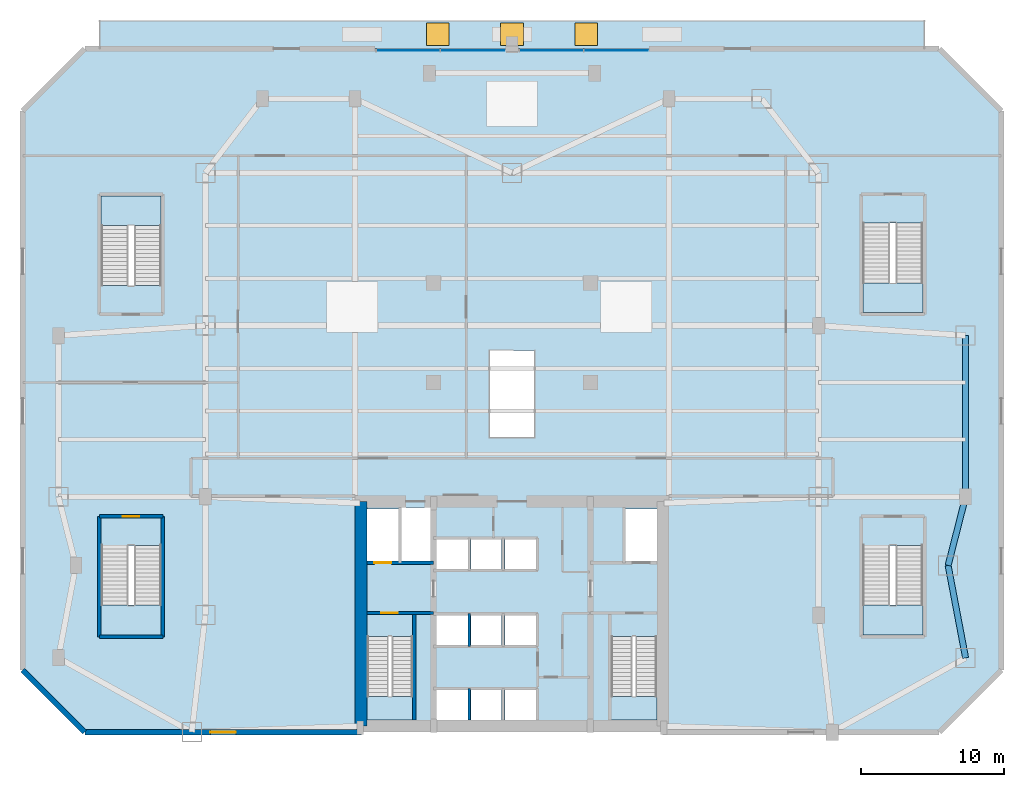
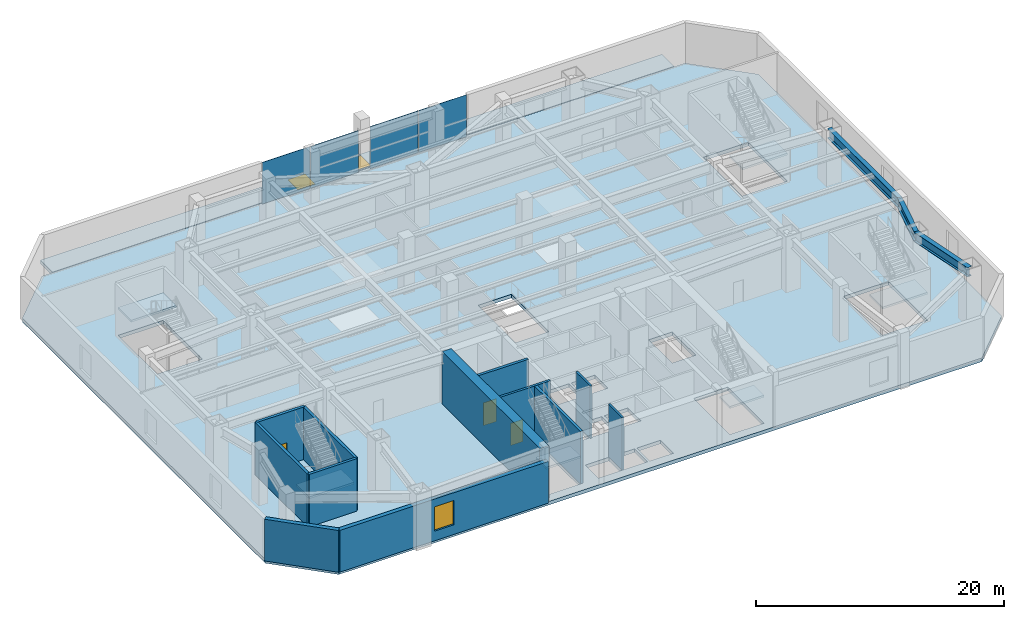
# One storey, part 3 of 10: 12 walls, 8 slabs, 4 plates, 4 windows, 3 beams, 3 doors, 7 openings, 8 elements without a shape of their own.
"""IFC4 building model written with IfcOpenShell, lengths in metres."""

import ifcopenshell
import ifcopenshell.guid

model = None  # the IFC model being written
_history = None  # IfcOwnerHistory: only IFC2X3 demands one
_inside = {}  # id of a spatial element -> (the spatial element, [elements in it])
_under = {}  # id of a project, library or spatial element -> (it, [spatial elements below it])
_declared = {}  # id of a project -> (the project, [libraries it declares])
_typed = {}  # id of a type object -> (the type object, [elements of that type])
_made_of = {}  # id of a material, layer set ... -> (it, [elements and type objects made of it])


def new_model(schema):
    """Start an empty IFC model of exactly this schema.

    Asked for "IFC4X3", IfcOpenShell would pick the latest addendum, in which some entities
    have other attributes; the version numbers below select the first issue.
    IFC2X3 requires an IfcOwnerHistory on every rooted entity: one is made here for all.
    """
    global model, _history
    if schema == "IFC4X3":
        model = ifcopenshell.file(schema_version=(4, 3, 0, 0))
    else:
        model = ifcopenshell.file(schema=schema)
    _inside.clear()
    _under.clear()
    _declared.clear()
    _typed.clear()
    _made_of.clear()
    _history = None
    if model.schema == "IFC2X3":
        org = make("IfcOrganization", Name="unknown")
        user = make(
            "IfcPersonAndOrganization",
            ThePerson=make("IfcPerson", FamilyName="unknown"),
            TheOrganization=org,
        )
        app = make(
            "IfcApplication",
            ApplicationDeveloper=org,
            Version="unknown",
            ApplicationFullName="unknown",
            ApplicationIdentifier="unknown",
        )
        _history = make(
            "IfcOwnerHistory",
            OwningUser=user,
            OwningApplication=app,
            ChangeAction="ADDED",
            CreationDate=0,
        )
    return model


def make(cls, **values):
    """One entity of the class cls with the attributes given. An attribute that is None is left unset."""
    return model.create_entity(
        cls, **{name: value for name, value in values.items() if value is not None}
    )


def rooted(cls, **values):
    """An entity with a GlobalId (a new one), such as an element, a storey or a relation."""
    return make(cls, GlobalId=ifcopenshell.guid.new(), OwnerHistory=_history, **values)


def si_unit(unit_type, name, prefix=None):
    """IfcSIUnit, for example si_unit("LENGTHUNIT", "METRE", prefix="MILLI")."""
    return make("IfcSIUnit", UnitType=unit_type, Prefix=prefix, Name=name)


def assignment(units):
    """IfcUnitAssignment: the units of a project."""
    return None if units is None else make("IfcUnitAssignment", Units=units)


def point(xyz):
    """IfcCartesianPoint."""
    return None if xyz is None else make("IfcCartesianPoint", Coordinates=xyz)


def direction(xyz):
    """IfcDirection."""
    return None if xyz is None else make("IfcDirection", DirectionRatios=xyz)


def frame(location, z_axis=None, x_axis=None):
    """IfcAxis2Placement3D, a coordinate frame: its origin and axes. An axis left out is left unset."""
    return make(
        "IfcAxis2Placement3D",
        Location=point(location),
        Axis=direction(z_axis),
        RefDirection=direction(x_axis),
    )


def frame_2d(location, x_axis=None):
    """IfcAxis2Placement2D, a coordinate frame in the plane: its origin and x axis."""
    return make(
        "IfcAxis2Placement2D", Location=point(location), RefDirection=direction(x_axis)
    )


def origin():
    """The frame at (0, 0, 0) with its axes left unset."""
    return frame((0.0, 0.0, 0.0))


def origin_2d():
    """The frame at (0, 0) in the plane with its x axis left unset."""
    return frame_2d((0.0, 0.0))


def place(relative_to, where):
    """IfcLocalPlacement: puts the frame where relative to a parent placement (None: the world)."""
    return make(
        "IfcLocalPlacement", PlacementRelTo=relative_to, RelativePlacement=where
    )


def context(
    kind, dimensions, precision=None, world=None, true_north=None, identifier=None
):
    """IfcGeometricRepresentationContext, for example the 3D "Model" context."""
    return make(
        "IfcGeometricRepresentationContext",
        ContextIdentifier=identifier,
        ContextType=kind,
        CoordinateSpaceDimension=dimensions,
        Precision=precision,
        WorldCoordinateSystem=world,
        TrueNorth=true_north,
    )


def subcontext(parent, identifier, kind, view, scale=None):
    """IfcGeometricRepresentationSubContext, for example "Body" below "Model"."""
    return make(
        "IfcGeometricRepresentationSubContext",
        ContextIdentifier=identifier,
        ContextType=kind,
        ParentContext=parent,
        TargetScale=scale,
        TargetView=view,
    )


def project(units=None, contexts=None):
    """IfcProject with its units and contexts."""
    return rooted(
        "IfcProject",
        Name="project",
        RepresentationContexts=contexts,
        UnitsInContext=assignment(units),
    )


def spatial(cls, under=None, at=None, **own):
    """A site, building, storey or space (cls), placed at a placement, below another one or the project."""
    s = rooted(cls, ObjectPlacement=at, **own)
    if under is not None:
        _under.setdefault(under.id(), (under, []))[1].append(s)
    return s


def polyline(points):
    """IfcPolyline through the points."""
    return make("IfcPolyline", Points=[point(p) for p in points])


def profile(cls, at=None, kind="AREA", **sizes):
    """A parametric profile (cls). Its sizes go by their IFC names, for example OverallWidth=200.0."""
    return make(cls, ProfileType=kind, Position=at, **sizes)


def rectangle(**sizes):
    """IfcRectangleProfileDef."""
    return profile("IfcRectangleProfileDef", **sizes)


def i_section(**sizes):
    """IfcIShapeProfileDef."""
    return profile("IfcIShapeProfileDef", **sizes)


def outline(outer, holes=None, kind="AREA"):
    """IfcArbitraryClosedProfileDef: a profile drawn as a closed curve; with holes, ...WithVoids."""
    if holes is None:
        return make("IfcArbitraryClosedProfileDef", ProfileType=kind, OuterCurve=outer)
    return make(
        "IfcArbitraryProfileDefWithVoids",
        ProfileType=kind,
        OuterCurve=outer,
        InnerCurves=holes,
    )


def extrude(swept, where, along, depth):
    """IfcExtrudedAreaSolid: the profile swept, set in the frame where, extruded along a direction by depth."""
    return make(
        "IfcExtrudedAreaSolid",
        SweptArea=swept,
        Position=where,
        ExtrudedDirection=direction(along),
        Depth=depth,
    )


def shape(context_of_items, identifier, shape_type, items):
    """IfcShapeRepresentation: the items that make up one representation, for example the "Body"."""
    return make(
        "IfcShapeRepresentation",
        ContextOfItems=context_of_items,
        RepresentationIdentifier=identifier,
        RepresentationType=shape_type,
        Items=items,
    )


def source(mapping_origin, context_of_items, identifier, shape_type, items):
    """IfcRepresentationMap: a shape defined once, which mapped items show again and again."""
    return make(
        "IfcRepresentationMap",
        MappingOrigin=mapping_origin,
        MappedRepresentation=shape(context_of_items, identifier, shape_type, items),
    )


def transform(
    local_origin,
    x_axis=None,
    y_axis=None,
    z_axis=None,
    scale=None,
    scale2=None,
    scale3=None,
    uniform=True,
):
    """IfcCartesianTransformationOperator3D, or its non-uniform kind. x_axis, y_axis, z_axis: its Axis1, 2, 3."""
    if uniform:
        return make(
            "IfcCartesianTransformationOperator3D",
            Axis1=direction(x_axis),
            Axis2=direction(y_axis),
            LocalOrigin=point(local_origin),
            Scale=scale,
            Axis3=direction(z_axis),
        )
    return make(
        "IfcCartesianTransformationOperator3DnonUniform",
        Axis1=direction(x_axis),
        Axis2=direction(y_axis),
        LocalOrigin=point(local_origin),
        Scale=scale,
        Axis3=direction(z_axis),
        Scale2=scale2,
        Scale3=scale3,
    )


def mapped(mapping_source, mapping_target):
    """IfcMappedItem: shows the shape of a source again, moved by a transform."""
    return make(
        "IfcMappedItem", MappingSource=mapping_source, MappingTarget=mapping_target
    )


def material(Name=None, Category=None):
    """IfcMaterial."""
    return make("IfcMaterial", Name=Name, Category=Category)


def layer(
    of_material, thickness, ventilated=None, Name=None, Category=None, Priority=None
):
    """IfcMaterialLayer: one layer of a wall or slab, of a material (None: an air gap)."""
    return make(
        "IfcMaterialLayer",
        Material=of_material,
        LayerThickness=thickness,
        IsVentilated=ventilated,
        Name=Name,
        Category=Category,
        Priority=Priority,
    )


def layer_set(layers, Name=None):
    """IfcMaterialLayerSet."""
    return make("IfcMaterialLayerSet", MaterialLayers=layers, LayerSetName=Name)


def material_profile(
    of_material, cross_section, Name=None, Category=None, Priority=None
):
    """IfcMaterialProfile: a cross section and its material."""
    return make(
        "IfcMaterialProfile",
        Name=Name,
        Material=of_material,
        Profile=cross_section,
        Priority=Priority,
        Category=Category,
    )


def profile_set(profiles, Name=None, composite=None):
    """IfcMaterialProfileSet."""
    return make(
        "IfcMaterialProfileSet",
        Name=Name,
        MaterialProfiles=profiles,
        CompositeProfile=composite,
    )


def made_of(thing, what):
    """Note that an element or type object is made of a material, layer set ...; save() writes the relation."""
    if what is not None:
        _made_of.setdefault(what.id(), (what, []))[1].append(thing)
    return thing


def type_object(cls, material=None, **own):
    """A type object (cls), such as IfcWallType, which elements share."""
    return made_of(rooted(cls, **own), material)


def type_shapes(of_type, sources):
    """Give a type object the sources (RepresentationMaps) that its elements show as mapped items."""
    of_type.RepresentationMaps = sources


def element(
    cls,
    number,
    at=None,
    inside=None,
    cuts=None,
    type_object=None,
    material=None,
    context=None,
    identifier="Body",
    shape_type=None,
    held_by="IfcProductDefinitionShape",
    body=None,
    shapes=None,
    **own,
):
    """One element of the class cls, such as IfcWall. Its Tag is "e" and its number.

    at: its placement. inside: the storey or other place that contains it. cuts: it is an
    opening in that element (IfcRelVoidsElement). A single representation is given by context,
    identifier, shape_type and body (its items); several are given by shapes. held_by: the class
    of the entity that holds the representations. save() writes the other relations.
    """
    e = rooted(cls, Tag="e%d" % number, ObjectPlacement=at, **own)
    if body is not None:
        shapes = [shape(context, identifier, shape_type, body)]
    if shapes is not None:
        e.Representation = make(held_by, Representations=shapes)
    if inside is not None:
        _inside.setdefault(inside.id(), (inside, []))[1].append(e)
    if cuts is not None:
        rooted(
            "IfcRelVoidsElement", RelatingBuildingElement=cuts, RelatedOpeningElement=e
        )
    if type_object is not None:
        _typed.setdefault(type_object.id(), (type_object, []))[1].append(e)
    return made_of(e, material)


def fill(opening, filler):
    """IfcRelFillsElement: the door or window that sits in an opening."""
    return rooted(
        "IfcRelFillsElement",
        RelatingOpeningElement=opening,
        RelatedBuildingElement=filler,
    )


def aggregate(whole, parts):
    """IfcRelAggregates: a whole, such as a stair, and the parts it consists of."""
    return rooted("IfcRelAggregates", RelatingObject=whole, RelatedObjects=parts)


def save(model, path):
    """Write the relations noted so far, then the file.

    IfcRelAggregates (storeys below a building ...), IfcRelContainedInSpatialStructure (elements
    in a storey), IfcRelDefinesByType, IfcRelAssociatesMaterial and IfcRelDeclares: one each for
    every whole, place, type object, material and project.
    """
    for whole, parts in _under.values():
        aggregate(whole, parts)
    for where, things in _inside.values():
        rooted(
            "IfcRelContainedInSpatialStructure",
            RelatedElements=things,
            RelatingStructure=where,
        )
    for kind, things in _typed.values():
        rooted("IfcRelDefinesByType", RelatedObjects=things, RelatingType=kind)
    for what, things in _made_of.values():
        rooted("IfcRelAssociatesMaterial", RelatedObjects=things, RelatingMaterial=what)
    for by, libraries in _declared.values():
        rooted("IfcRelDeclares", RelatingContext=by, RelatedDefinitions=libraries)
    model.write(path)


model = new_model("IFC4")

# Units and contexts
model_context = context("Model", 3, precision=1e-05, world=origin(), true_north=direction((0.0, 1.0)))
body_context = subcontext(model_context, "Body", "Model", "MODEL_VIEW")
ifc_project = project(units=[si_unit("LENGTHUNIT", "METRE"), si_unit("AREAUNIT", "SQUARE_METRE"), si_unit("VOLUMEUNIT", "CUBIC_METRE"), si_unit("PLANEANGLEUNIT", "RADIAN"), si_unit("MASSUNIT", "GRAM", prefix="KILO")], contexts=[model_context])

# Site, building, storey
site_placement = place(None, origin())
site = spatial("IfcSite", under=ifc_project, at=site_placement, CompositionType="ELEMENT")
building_placement = place(site_placement, origin())
building = spatial("IfcBuilding", under=site, at=building_placement, Name="Varnakhor Terracotta Tower", CompositionType="ELEMENT")
storey_placement = place(building_placement, frame((0.0, 0.0, 5.5)))
storey = spatial("IfcBuildingStorey", under=building, at=storey_placement, Name="L01", CompositionType="ELEMENT", Elevation=5.5)

# Beams
ifc_material_1 = material(Name="Steel S355", Category="steel")
ifc_material_profile = material_profile(ifc_material_1, i_section(OverallWidth=0.41796875, OverallDepth=0.927001953125, WebThickness=0.01904296875, FlangeThickness=0.031982421875, FilletRadius=0.01806640625, at=origin_2d()), Name="W36X231")
ifc_profile_set = profile_set([ifc_material_profile], Name="Steel S355")
beam_type = type_object("IfcBeamType", Name="BM-W36X231", PredefinedType="BEAM", material=ifc_profile_set)
shared_shape_1 = source(origin(), body_context, "Body", "SweptSolid", [
    extrude(i_section(OverallWidth=0.41796875, OverallDepth=0.927001953125, WebThickness=0.01904296875, FlangeThickness=0.031982421875, FilletRadius=0.01806640625, at=origin_2d()), origin(), (0.0, 0.0, 1.0), 6.60205078125),
])
beam_1_placement = place(storey_placement, frame((31.800048828125, 5.199951171875, 4.70654296875), z_axis=(-0.185857896361, 0.982576634345, 0.0), x_axis=(-0.982576634345, -0.185857896361, 0.0)))
element("IfcBeam", 1, at=beam_1_placement, inside=storey, type_object=beam_type, Name="L01 Podium Wing Girder OE2A", PredefinedType="BEAM", context=body_context, shape_type="MappedRepresentation", body=[
    mapped(shared_shape_1, transform((0.0, 0.0, 0.0), scale=1.0)),
])
shared_shape_2 = source(origin(), body_context, "Body", "SweptSolid", [
    extrude(i_section(OverallWidth=0.41796875, OverallDepth=0.927001953125, WebThickness=0.01904296875, FlangeThickness=0.031982421875, FilletRadius=0.01806640625, at=origin_2d()), origin(), (0.0, 0.0, 1.0), 4.967041015625),
])
beam_2_placement = place(storey_placement, frame((30.572998046875, 11.68701171875, 4.70654296875), z_axis=(0.247043524216, 0.969004384481, 0.0), x_axis=(-0.969004384481, 0.247043524216, 0.0)))
element("IfcBeam", 2, at=beam_2_placement, inside=storey, type_object=beam_type, Name="L01 Podium Wing Girder OE2B", PredefinedType="BEAM", context=body_context, shape_type="MappedRepresentation", body=[
    mapped(shared_shape_2, transform((0.0, 0.0, 0.0), scale=1.0)),
])
shared_shape_3 = source(origin(), body_context, "Body", "SweptSolid", [
    extrude(i_section(OverallWidth=0.41796875, OverallDepth=0.927001953125, WebThickness=0.01904296875, FlangeThickness=0.031982421875, FilletRadius=0.01806640625, at=origin_2d()), origin(), (0.0, 0.0, 1.0), 11.300048828125),
])
beam_3_placement = place(storey_placement, frame((31.800048828125, 16.5, 4.70654296875), z_axis=(0.0, 1.0, 0.0), x_axis=(-1.0, 0.0, 0.0)))
element("IfcBeam", 3, at=beam_3_placement, inside=storey, type_object=beam_type, Name="L01 Podium Wing Girder OE3", PredefinedType="BEAM", context=body_context, shape_type="MappedRepresentation", body=[
    mapped(shared_shape_3, transform((0.0, 0.0, 0.0), scale=1.0)),
])

# Slab
ifc_material_2 = material(Name="Concrete C40/50", Category="concrete")
ifc_layer_1 = layer(ifc_material_2, 0.35009765625, Name="Concrete C40/50")
ifc_layer_set_1 = layer_set([ifc_layer_1], Name="Concrete C40/50")
slab_type_1 = type_object("IfcSlabType", Name="SLB-HALL-350", PredefinedType="FLOOR", material=ifc_layer_set_1)
slab_1_placement = place(storey_placement, frame((0.0, 0.0, -0.35009765625)))
element("IfcSlab", 4, at=slab_1_placement, inside=storey, type_object=slab_type_1, Name="L01 Structural Floor Slab", PredefinedType="FLOOR", context=body_context, shape_type="SweptSolid", body=[
    extrude(outline(polyline([(-34.300048828125, 4.35009765625), (-34.300048828125, 43.550048828125), (-29.949951171875, 47.89990234375), (29.949951171875, 47.89990234375), (34.300048828125, 43.550048828125), (34.300048828125, 4.35009765625), (29.949951171875, 0.0), (-29.949951171875, 0.0), (-34.300048828125, 4.35009765625)]), holes=[polyline([(-5.300048828125, 0.85009765625), (-3.10009765625, 0.85009765625), (-3.10009765625, 2.949951171875), (-5.300048828125, 2.949951171875), (-5.300048828125, 0.85009765625)]), polyline([(-10.14990234375, 0.85009765625), (-6.949951171875, 0.85009765625), (-6.949951171875, 6.695068359375), (-10.14990234375, 6.695068359375), (-10.14990234375, 0.85009765625)]), polyline([(-5.300048828125, 6.10009765625), (-3.10009765625, 6.10009765625), (-3.10009765625, 8.199951171875), (-5.300048828125, 8.199951171875), (-5.300048828125, 6.10009765625)]), polyline([(-2.8798828125, 6.10009765625), (-0.719970703125, 6.10009765625), (-0.719970703125, 8.199951171875), (-2.8798828125, 8.199951171875), (-2.8798828125, 6.10009765625)]), polyline([(-28.800048828125, 6.800048828125), (-24.60009765625, 6.800048828125), (-24.60009765625, 13.0849609375), (-28.800048828125, 13.0849609375), (-28.800048828125, 6.800048828125)]), polyline([(-5.300048828125, 11.419921875), (-3.10009765625, 11.419921875), (-3.10009765625, 13.52001953125), (-5.300048828125, 13.52001953125), (-5.300048828125, 11.419921875)]), polyline([(-2.8798828125, 11.419921875), (-0.719970703125, 11.419921875), (-0.719970703125, 13.52001953125), (-2.8798828125, 13.52001953125), (-2.8798828125, 11.419921875)]), polyline([(-10.14990234375, 15.64990234375), (-10.14990234375, 11.8798828125), (-7.949951171875, 11.8798828125), (-7.949951171875, 15.64990234375), (-10.14990234375, 15.64990234375)]), polyline([(-7.72998046875, 15.75), (-7.72998046875, 11.8798828125), (-5.699951171875, 11.8798828125), (-5.699951171875, 15.75), (-7.72998046875, 15.75)]), polyline([(-28.800048828125, 31.31494140625), (-24.60009765625, 31.31494140625), (-24.60009765625, 37.60009765625), (-28.800048828125, 37.60009765625), (-28.800048828125, 31.31494140625)]), polyline([(-2.8798828125, 0.85009765625), (-0.719970703125, 0.85009765625), (-0.719970703125, 2.949951171875), (-2.8798828125, 2.949951171875), (-2.8798828125, 0.85009765625)]), polyline([(-0.5, 0.85009765625), (1.699951171875, 0.85009765625), (1.699951171875, 2.949951171875), (-0.5, 2.949951171875), (-0.5, 0.85009765625)]), polyline([(6.949951171875, 6.695068359375), (6.949951171875, 0.85009765625), (10.14990234375, 0.85009765625), (10.14990234375, 6.695068359375), (6.949951171875, 6.695068359375)]), polyline([(-0.5, 8.199951171875), (-0.5, 6.10009765625), (1.699951171875, 6.10009765625), (1.699951171875, 8.199951171875), (-0.5, 8.199951171875)]), polyline([(24.60009765625, 6.800048828125), (28.800048828125, 6.800048828125), (28.800048828125, 13.0849609375), (24.60009765625, 13.0849609375), (24.60009765625, 6.800048828125)]), polyline([(-0.5, 11.419921875), (1.699951171875, 11.419921875), (1.699951171875, 13.52001953125), (-0.5, 13.52001953125), (-0.5, 11.419921875)]), polyline([(7.949951171875, 11.8798828125), (10.14990234375, 11.8798828125), (10.14990234375, 15.64990234375), (7.949951171875, 15.64990234375), (7.949951171875, 11.8798828125)]), polyline([(-1.550048828125, 26.735107421875), (-1.550048828125, 20.679931640625), (1.550048828125, 20.679931640625), (1.550048828125, 26.735107421875), (-1.550048828125, 26.735107421875)]), polyline([(24.60009765625, 35.68505859375), (24.60009765625, 29.39990234375), (28.800048828125, 29.39990234375), (28.800048828125, 35.68505859375), (24.60009765625, 35.68505859375)])]), origin(), (0.0, 0.0, 1.0), 0.35009765625),
])

# Stair, slab
stair_type_1 = type_object("IfcStairType", Name="STR-CORE-OFFICE-1500", PredefinedType="HALF_TURN_STAIR", material=ifc_material_2)
stair_1_placement = place(storey_placement, origin())
stair_1 = element("IfcStair", 5, at=stair_1_placement, inside=storey, type_object=stair_type_1, Name="L01 Core Exit Stair ST-1", PredefinedType="HALF_TURN_STAIR")
ifc_layer_2 = layer(ifc_material_2, 0.179931640625, Name="Concrete C40/50")
ifc_layer_set_2 = layer_set([ifc_layer_2], Name="Concrete C40/50")
slab_type_2 = type_object("IfcSlabType", Name="SLB-LANDING-180", PredefinedType="LANDING", material=ifc_layer_set_2)
slab_2_placement = place(storey_placement, frame((0.0, 0.0, 2.550048828125)))
slab_2 = element("IfcSlab", 6, at=slab_2_placement, type_object=slab_type_2, Name="ST-1 landing 1", PredefinedType="LANDING", context=body_context, shape_type="SweptSolid", body=[
    extrude(outline(polyline([(-10.14990234375, 2.510009765625), (-10.14990234375, 0.85009765625), (-6.949951171875, 0.85009765625), (-6.949951171875, 2.510009765625), (-10.14990234375, 2.510009765625)])), origin(), (0.0, 0.0, 1.0), 0.199951171875),
])
aggregate(stair_1, [slab_2])

stair_2_placement = place(storey_placement, origin())
stair_2 = element("IfcStair", 7, at=stair_2_placement, inside=storey, type_object=stair_type_1, Name="L01 Core Exit Stair ST-2", PredefinedType="HALF_TURN_STAIR")
slab_3_placement = place(storey_placement, frame((0.0, 0.0, 2.550048828125)))
slab_3 = element("IfcSlab", 8, at=slab_3_placement, type_object=slab_type_2, Name="ST-2 landing 1", PredefinedType="LANDING", context=body_context, shape_type="SweptSolid", body=[
    extrude(outline(polyline([(6.949951171875, 2.510009765625), (6.949951171875, 0.85009765625), (10.14990234375, 0.85009765625), (10.14990234375, 2.510009765625), (6.949951171875, 2.510009765625)])), origin(), (0.0, 0.0, 1.0), 0.199951171875),
])
aggregate(stair_2, [slab_3])

stair_type_2 = type_object("IfcStairType", Name="STR-PODIUM-EXIT-2000", PredefinedType="HALF_TURN_STAIR", material=ifc_material_2)
stair_3_placement = place(storey_placement, origin())
stair_3 = element("IfcStair", 9, at=stair_3_placement, inside=storey, type_object=stair_type_2, Name="L01 Podium Assembly Exit Stair ST-P1", PredefinedType="HALF_TURN_STAIR")
slab_4_placement = place(storey_placement, frame((0.0, 0.0, 2.550048828125)))
slab_4 = element("IfcSlab", 10, at=slab_4_placement, type_object=slab_type_2, Name="ST-P1 landing 1", PredefinedType="LANDING", context=body_context, shape_type="SweptSolid", body=[
    extrude(outline(polyline([(-28.800048828125, 8.89990234375), (-28.800048828125, 6.800048828125), (-24.60009765625, 6.800048828125), (-24.60009765625, 8.89990234375), (-28.800048828125, 8.89990234375)])), origin(), (0.0, 0.0, 1.0), 0.199951171875),
])
aggregate(stair_3, [slab_4])

stair_4_placement = place(storey_placement, origin())
stair_4 = element("IfcStair", 11, at=stair_4_placement, inside=storey, type_object=stair_type_2, Name="L01 Podium Assembly Exit Stair ST-P2", PredefinedType="HALF_TURN_STAIR")
slab_5_placement = place(storey_placement, frame((0.0, 0.0, 2.550048828125)))
slab_5 = element("IfcSlab", 12, at=slab_5_placement, type_object=slab_type_2, Name="ST-P2 landing 1", PredefinedType="LANDING", context=body_context, shape_type="SweptSolid", body=[
    extrude(outline(polyline([(24.60009765625, 8.89990234375), (24.60009765625, 6.800048828125), (28.800048828125, 6.800048828125), (28.800048828125, 8.89990234375), (24.60009765625, 8.89990234375)])), origin(), (0.0, 0.0, 1.0), 0.199951171875),
])
aggregate(stair_4, [slab_5])

stair_5_placement = place(storey_placement, origin())
stair_5 = element("IfcStair", 13, at=stair_5_placement, inside=storey, type_object=stair_type_2, Name="L01 Podium Assembly Exit Stair ST-P3", PredefinedType="HALF_TURN_STAIR")
slab_6_placement = place(storey_placement, frame((0.0, 0.0, 2.550048828125)))
slab_6 = element("IfcSlab", 14, at=slab_6_placement, type_object=slab_type_2, Name="ST-P3 landing 1", PredefinedType="LANDING", context=body_context, shape_type="SweptSolid", body=[
    extrude(outline(polyline([(-24.60009765625, 35.5), (-24.60009765625, 37.60009765625), (-28.800048828125, 37.60009765625), (-28.800048828125, 35.5), (-24.60009765625, 35.5)])), origin(), (0.0, 0.0, 1.0), 0.199951171875),
])
aggregate(stair_5, [slab_6])

stair_6_placement = place(storey_placement, origin())
stair_6 = element("IfcStair", 15, at=stair_6_placement, inside=storey, type_object=stair_type_2, Name="L01 Podium Assembly Exit Stair ST-P4", PredefinedType="HALF_TURN_STAIR")
slab_7_placement = place(storey_placement, frame((0.0, 0.0, 2.550048828125)))
slab_7 = element("IfcSlab", 16, at=slab_7_placement, type_object=slab_type_2, Name="ST-P4 landing 1", PredefinedType="LANDING", context=body_context, shape_type="SweptSolid", body=[
    extrude(outline(polyline([(24.60009765625, 31.5), (24.60009765625, 29.39990234375), (28.800048828125, 29.39990234375), (28.800048828125, 31.5), (24.60009765625, 31.5)])), origin(), (0.0, 0.0, 1.0), 0.199951171875),
])
aggregate(stair_6, [slab_7])

# Slab, openings, windows
ifc_layer_3 = layer(ifc_material_2, 0.340087890625, Name="Concrete C40/50")
ifc_layer_set_3 = layer_set([ifc_layer_3], Name="Concrete C40/50")
slab_type_3 = type_object("IfcSlabType", Name="SLB-TERR-EXT-340", PredefinedType="FLOOR", material=ifc_layer_set_3)
slab_8_placement = place(storey_placement, frame((0.0, 0.0, -0.35009765625)))
slab_8 = element("IfcSlab", 17, at=slab_8_placement, inside=storey, type_object=slab_type_3, Name="L01 Cascading Garden Terrace Slab", PredefinedType="FLOOR", context=body_context, shape_type="SweptSolid", body=[
    extrude(outline(polyline([(-28.949951171875, 49.89990234375), (28.949951171875, 49.89990234375), (28.949951171875, 47.93994140625), (-28.949951171875, 47.93994140625), (-28.949951171875, 49.89990234375)])), origin(), (0.0, 0.0, 1.0), 0.35009765625),
])
opening_1_placement = place(slab_8_placement, frame((-5.199951171875, 48.919921875, -0.010009765625)))
opening_1 = element("IfcOpeningElement", 18, at=opening_1_placement, cuts=slab_8, Name="Opening WN-49", PredefinedType="OPENING", context=body_context, shape_type="SweptSolid", body=[
    extrude(rectangle(XDim=1.60009765625, YDim=1.60009765625, at=origin_2d()), origin(), (0.0, 0.0, 1.0), 0.3701171875),
])
opening_2_placement = place(slab_8_placement, frame((0.0, 48.919921875, -0.010009765625)))
opening_2 = element("IfcOpeningElement", 19, at=opening_2_placement, cuts=slab_8, Name="Opening WN-49", PredefinedType="OPENING", context=body_context, shape_type="SweptSolid", body=[
    extrude(rectangle(XDim=1.60009765625, YDim=1.60009765625, at=origin_2d()), origin(), (0.0, 0.0, 1.0), 0.3701171875),
])
opening_3_placement = place(slab_8_placement, frame((5.199951171875, 48.919921875, -0.010009765625)))
opening_3 = element("IfcOpeningElement", 20, at=opening_3_placement, cuts=slab_8, Name="Opening WN-49", PredefinedType="OPENING", context=body_context, shape_type="SweptSolid", body=[
    extrude(rectangle(XDim=1.60009765625, YDim=1.60009765625, at=origin_2d()), origin(), (0.0, 0.0, 1.0), 0.3701171875),
])
ifc_material_3 = material(Name="Solar-Control Low-E Insulated Glass Unit", Category="glass")
window_type_1 = type_object("IfcWindowType", Name="SKYLIGHT-3200X3200", PartitioningType="SINGLE_PANEL", PredefinedType="SKYLIGHT", material=ifc_material_3)
window_1_placement = place(slab_8_placement, frame((-5.199951171875, 48.919921875, 0.300048828125)))
window_1 = element("IfcWindow", 21, at=window_1_placement, inside=storey, type_object=window_type_1, Name="L01 Podium Foyer Skylight 1", OverallHeight=1.60009765625, OverallWidth=1.60009765625, PartitioningType="SINGLE_PANEL", PredefinedType="SKYLIGHT", context=body_context, shape_type="SweptSolid", body=[
    extrude(rectangle(XDim=1.60009765625, YDim=1.60009765625, at=origin_2d()), origin(), (0.0, 0.0, 1.0), 0.050048828125),
])
fill(opening_1, window_1)
window_2_placement = place(slab_8_placement, frame((0.0, 48.919921875, 0.300048828125)))
window_2 = element("IfcWindow", 22, at=window_2_placement, inside=storey, type_object=window_type_1, Name="L01 Podium Foyer Skylight 2", OverallHeight=1.60009765625, OverallWidth=1.60009765625, PartitioningType="SINGLE_PANEL", PredefinedType="SKYLIGHT", context=body_context, shape_type="SweptSolid", body=[
    extrude(rectangle(XDim=1.60009765625, YDim=1.60009765625, at=origin_2d()), origin(), (0.0, 0.0, 1.0), 0.050048828125),
])
fill(opening_2, window_2)
window_3_placement = place(slab_8_placement, frame((5.199951171875, 48.919921875, 0.300048828125)))
window_3 = element("IfcWindow", 23, at=window_3_placement, inside=storey, type_object=window_type_1, Name="L01 Podium Foyer Skylight 3", OverallHeight=1.60009765625, OverallWidth=1.60009765625, PartitioningType="SINGLE_PANEL", PredefinedType="SKYLIGHT", context=body_context, shape_type="SweptSolid", body=[
    extrude(rectangle(XDim=1.60009765625, YDim=1.60009765625, at=origin_2d()), origin(), (0.0, 0.0, 1.0), 0.050048828125),
])
fill(opening_3, window_3)

# Curtain wall, plates
ifc_material_4 = material(Name="Anodised Aluminium Curtain Wall System", Category="aluminium")
curtain_wall_type = type_object("IfcCurtainWallType", Name="CW-SYS-PODIUM", PredefinedType="NOTDEFINED", material=ifc_material_4)
curtain_wall_1_placement = place(storey_placement, origin())
curtain_wall_1 = element("IfcCurtainWall", 24, at=curtain_wall_1_placement, inside=storey, type_object=curtain_wall_type, Name="L01 North West Foyer Curtain Wall", PredefinedType="NOTDEFINED")
ifc_material_5 = material(Name="Solar-Control Low-E Insulated Glass Panel", Category="glass")
ifc_layer_4 = layer(ifc_material_5, 0.0439453125, Name="Solar-Control Low-E Insulated Glass Panel")
ifc_layer_set_4 = layer_set([ifc_layer_4], Name="Solar-Control Low-E Insulated Glass Panel")
plate_type = type_object("IfcPlateType", Name="CWP-01", PredefinedType="CURTAIN_PANEL", material=ifc_layer_set_4)
shared_shape_4 = source(origin(), body_context, "Body", "SweptSolid", [
    extrude(rectangle(XDim=4.47509765625, YDim=0.035888671875, at=origin_2d()), origin(), (0.0, 0.0, 1.0), 4.110107421875),
])
plate_1_placement = place(storey_placement, frame((-7.282470703125, 47.780029296875, 0.0), z_axis=(0.0, 0.0, 1.0), x_axis=(1.0, 0.0, 0.0)))
plate_1 = element("IfcPlate", 25, at=plate_1_placement, type_object=plate_type, Name="L01 North West Foyer Curtain Wall Glazed Panel 1", PredefinedType="CURTAIN_PANEL", context=body_context, shape_type="MappedRepresentation", body=[
    mapped(shared_shape_4, transform((0.0, 0.0, 0.0), scale=1.0)),
])
plate_2_placement = place(storey_placement, frame((-2.767578125, 47.780029296875, 0.0), z_axis=(0.0, 0.0, 1.0), x_axis=(1.0, 0.0, 0.0)))
plate_2 = element("IfcPlate", 26, at=plate_2_placement, type_object=plate_type, Name="L01 North West Foyer Curtain Wall Glazed Panel 2", PredefinedType="CURTAIN_PANEL", context=body_context, shape_type="MappedRepresentation", body=[
    mapped(shared_shape_4, transform((0.0, 0.0, 0.0), scale=1.0)),
])
aggregate(curtain_wall_1, [plate_1, plate_2])

curtain_wall_2_placement = place(storey_placement, origin())
curtain_wall_2 = element("IfcCurtainWall", 27, at=curtain_wall_2_placement, inside=storey, type_object=curtain_wall_type, Name="L01 North East Foyer Curtain Wall", PredefinedType="NOTDEFINED")
plate_3_placement = place(storey_placement, frame((2.767578125, 47.780029296875, 0.0), z_axis=(0.0, 0.0, 1.0), x_axis=(1.0, 0.0, 0.0)))
plate_3 = element("IfcPlate", 28, at=plate_3_placement, type_object=plate_type, Name="L01 North East Foyer Curtain Wall Glazed Panel 1", PredefinedType="CURTAIN_PANEL", context=body_context, shape_type="MappedRepresentation", body=[
    mapped(shared_shape_4, transform((0.0, 0.0, 0.0), scale=1.0)),
])
plate_4_placement = place(storey_placement, frame((7.282470703125, 47.780029296875, 0.0), z_axis=(0.0, 0.0, 1.0), x_axis=(1.0, 0.0, 0.0)))
plate_4 = element("IfcPlate", 29, at=plate_4_placement, type_object=plate_type, Name="L01 North East Foyer Curtain Wall Glazed Panel 2", PredefinedType="CURTAIN_PANEL", context=body_context, shape_type="MappedRepresentation", body=[
    mapped(shared_shape_4, transform((0.0, 0.0, 0.0), scale=1.0)),
])
aggregate(curtain_wall_2, [plate_3, plate_4])

# Wall
ifc_material_6 = material(Name="Concrete C60/75", Category="concrete")
ifc_layer_5 = layer(ifc_material_6, 0.85009765625, Name="Concrete C60/75")
ifc_layer_set_5 = layer_set([ifc_layer_5], Name="Concrete C60/75")
wall_type_1 = type_object("IfcWallType", Name="WAL-CORE-850", PredefinedType="SHEAR", material=ifc_layer_set_5)
wall_1_placement = place(storey_placement, frame((-10.574951171875, 0.425048828125, 0.0), z_axis=(0.0, 0.0, 1.0), x_axis=(0.0, 1.0, 0.0)))
element("IfcWall", 30, at=wall_1_placement, inside=storey, type_object=wall_type_1, Name="L01 West Core Shear Wall", PredefinedType="SHEAR", context=body_context, shape_type="SweptSolid", body=[
    extrude(rectangle(XDim=15.75, YDim=0.85009765625, at=frame_2d((7.875, 0.0))), origin(), (0.0, 0.0, 1.0), 5.169921875),
])

# Wall, opening, window
ifc_material_7 = material(Name="Honed Riyadh Limestone Assembly", Category="masonry")
ifc_layer_6 = layer(ifc_material_7, 0.3798828125, Name="Honed Riyadh Limestone Assembly")
ifc_layer_set_6 = layer_set([ifc_layer_6], Name="Honed Riyadh Limestone Assembly")
wall_type_2 = type_object("IfcWallType", Name="WAL-EXT-LIMESTONE-380", PredefinedType="SOLIDWALL", material=ifc_layer_set_6)
wall_2_placement = place(storey_placement, frame((-10.550048828125, 0.0, 0.0), z_axis=(0.0, 0.0, 1.0), x_axis=(-1.0, 0.0, 0.0)))
wall_2 = element("IfcWall", 31, at=wall_2_placement, inside=storey, type_object=wall_type_2, Name="L01 Limestone Podium Wall SW", PredefinedType="SOLIDWALL", context=body_context, shape_type="SweptSolid", body=[
    extrude(rectangle(XDim=19.39990234375, YDim=0.3798828125, at=frame_2d((9.699951171875, 0.0))), origin(), (0.0, 0.0, 1.0), 4.110107421875),
])
opening_4_placement = place(wall_2_placement, frame((8.800048828125, 0.0, 0.949951171875)))
opening_4 = element("IfcOpeningElement", 32, at=opening_4_placement, cuts=wall_2, Name="Opening WN-16", PredefinedType="OPENING", context=body_context, shape_type="SweptSolid", body=[
    extrude(rectangle(XDim=1.800048828125, YDim=2.39990234375, at=frame_2d((0.89990234375, 1.199951171875))), frame((0.0, 0.199951171875, 0.0), z_axis=(0.0, -1.0, 0.0), x_axis=(1.0, 0.0, 0.0)), (0.0, 0.0, 1.0), 0.39990234375),
])
window_type_2 = type_object("IfcWindowType", Name="WIN-POD-2400X3200", PartitioningType="SINGLE_PANEL", PredefinedType="WINDOW", material=ifc_material_3)
shared_shape_5 = source(origin(), body_context, "Body", "SweptSolid", [
    extrude(rectangle(XDim=1.800048828125, YDim=2.39990234375, at=frame_2d((0.89990234375, 1.199951171875))), frame((0.0, 0.030029296875, 0.0), z_axis=(0.0, -1.0, 0.0), x_axis=(1.0, 0.0, 0.0)), (0.0, 0.0, 1.0), 0.06005859375),
])
type_shapes(window_type_2, [shared_shape_5])
window_4_placement = place(opening_4_placement, origin())
window_4 = element("IfcWindow", 33, at=window_4_placement, inside=storey, type_object=window_type_2, Name="L01 Podium Window SW", OverallHeight=2.39990234375, OverallWidth=1.800048828125, PartitioningType="SINGLE_PANEL", PredefinedType="WINDOW", context=body_context, shape_type="MappedRepresentation", body=[
    mapped(shared_shape_5, transform((0.0, 0.0, 0.0), scale=1.0)),
])
fill(opening_4, window_4)

# Wall
wall_3_placement = place(storey_placement, frame((-29.949951171875, 0.0, 0.0), z_axis=(0.0, 0.0, 1.0), x_axis=(-0.707106781187, 0.707106781187, 0.0)))
element("IfcWall", 34, at=wall_3_placement, inside=storey, type_object=wall_type_2, Name="L01 Podium Chamfer Limestone Wall 8", PredefinedType="SOLIDWALL", context=body_context, shape_type="SweptSolid", body=[
    extrude(rectangle(XDim=6.15185546875, YDim=0.3798828125, at=frame_2d((3.075927734375, 0.0))), origin(), (0.0, 0.0, 1.0), 4.110107421875),
])

# Wall, opening, door
ifc_layer_7 = layer(ifc_material_2, 0.219970703125, Name="Concrete C40/50")
ifc_layer_set_7 = layer_set([ifc_layer_7], Name="Concrete C40/50")
wall_type_3 = type_object("IfcWallType", Name="WAL-FFLOBBY-220", PredefinedType="SOLIDWALL", material=ifc_layer_set_7)
wall_4_placement = place(storey_placement, frame((-5.5, 8.35009765625, 0.0), z_axis=(0.0, 0.0, 1.0), x_axis=(-1.0, 0.0, 0.0)))
wall_4 = element("IfcWall", 35, at=wall_4_placement, inside=storey, type_object=wall_type_3, Name="L01 West Firefighting Lobby Stair Wall", PredefinedType="SOLIDWALL", context=body_context, shape_type="SweptSolid", body=[
    extrude(rectangle(XDim=4.64990234375, YDim=0.219970703125, at=frame_2d((2.324951171875, 0.0))), origin(), (0.0, 0.0, 1.0), 5.169921875),
])
opening_5_placement = place(wall_4_placement, frame((2.5, 0.0, 0.0)))
opening_5 = element("IfcOpeningElement", 36, at=opening_5_placement, cuts=wall_4, Name="Opening DR-34", PredefinedType="OPENING", context=body_context, shape_type="SweptSolid", body=[
    extrude(rectangle(XDim=1.14990234375, YDim=2.199951171875, at=frame_2d((0.574951171875, 1.10009765625))), frame((0.0, 0.1201171875, 0.0), z_axis=(0.0, -1.0, 0.0), x_axis=(1.0, 0.0, 0.0)), (0.0, 0.0, 1.0), 0.239990234375),
])
ifc_material_8 = material(Name="Self-Closing Smoke-Sealed Steel Fire Door", Category="steel")
door_type_1 = type_object("IfcDoorType", Name="DR-STAIR-1150X2200", OperationType="NOTDEFINED", PredefinedType="DOOR", material=ifc_material_8)
shared_shape_6 = source(origin(), body_context, "Body", "SweptSolid", [
    extrude(rectangle(XDim=1.14990234375, YDim=2.199951171875, at=frame_2d((0.574951171875, 1.10009765625))), frame((0.0, 0.02490234375, 0.0), z_axis=(0.0, -1.0, 0.0), x_axis=(1.0, 0.0, 0.0)), (0.0, 0.0, 1.0), 0.050048828125),
])
type_shapes(door_type_1, [shared_shape_6])
door_1_placement = place(opening_5_placement, origin())
door_1 = element("IfcDoor", 37, at=door_1_placement, inside=storey, type_object=door_type_1, Name="L01 Exit Stair ST-1 Fire Door", OperationType="SINGLE_SWING_RIGHT", OverallHeight=2.199951171875, OverallWidth=1.14990234375, PredefinedType="DOOR", context=body_context, shape_type="MappedRepresentation", body=[
    mapped(shared_shape_6, transform((0.0, 0.0, 0.0), scale=1.0)),
])
fill(opening_5, door_1)

# Walls
ifc_layer_8 = layer(ifc_material_2, 0.179931640625, Name="Concrete C40/50")
ifc_layer_set_8 = layer_set([ifc_layer_8], Name="Concrete C40/50")
wall_type_4 = type_object("IfcWallType", Name="WAL-SHAFT-180", PredefinedType="SOLIDWALL", material=ifc_layer_set_8)
wall_5_placement = place(storey_placement, frame((-3.0, 0.85009765625, 0.0), z_axis=(0.0, 0.0, 1.0), x_axis=(0.0, 1.0, 0.0)))
element("IfcWall", 38, at=wall_5_placement, inside=storey, type_object=wall_type_4, Name="L01 PL-1A Divider", PredefinedType="SOLIDWALL", context=body_context, shape_type="SweptSolid", body=[
    extrude(rectangle(XDim=2.199951171875, YDim=0.179931640625, at=frame_2d((1.10009765625, 0.0))), origin(), (0.0, 0.0, 1.0), 5.169921875),
])
wall_6_placement = place(storey_placement, frame((-3.0, 6.0, 0.0), z_axis=(0.0, 0.0, 1.0), x_axis=(0.0, 1.0, 0.0)))
element("IfcWall", 39, at=wall_6_placement, inside=storey, type_object=wall_type_4, Name="L01 PL-2A Divider", PredefinedType="SOLIDWALL", context=body_context, shape_type="SweptSolid", body=[
    extrude(rectangle(XDim=2.300048828125, YDim=0.179931640625, at=frame_2d((1.14990234375, 0.0))), origin(), (0.0, 0.0, 1.0), 5.169921875),
])
ifc_layer_9 = layer(ifc_material_2, 0.25, Name="Concrete C40/50")
ifc_layer_set_9 = layer_set([ifc_layer_9], Name="Concrete C40/50")
wall_type_5 = type_object("IfcWallType", Name="WAL-SHAFT-250", PredefinedType="SOLIDWALL", material=ifc_layer_set_9)
wall_7_placement = place(storey_placement, frame((-6.85009765625, 0.85009765625, 0.0), z_axis=(0.0, 0.0, 1.0), x_axis=(0.0, 1.0, 0.0)))
element("IfcWall", 40, at=wall_7_placement, inside=storey, type_object=wall_type_5, Name="L01 Stair ST-1 Bearing Shaft Wall", PredefinedType="SOLIDWALL", context=body_context, shape_type="SweptSolid", body=[
    extrude(rectangle(XDim=7.5, YDim=0.25, at=frame_2d((3.75, 0.0))), origin(), (0.0, 0.0, 1.0), 5.169921875),
])

# Wall, opening, door
wall_8_placement = place(storey_placement, frame((-5.5, 11.8701171875, 0.0), z_axis=(0.0, 0.0, 1.0), x_axis=(-1.0, 0.0, 0.0)))
wall_8 = element("IfcWall", 41, at=wall_8_placement, inside=storey, type_object=wall_type_5, Name="L01 Lift FFL-1 Shaft Front Wall", PredefinedType="SOLIDWALL", context=body_context, shape_type="SweptSolid", body=[
    extrude(rectangle(XDim=4.64990234375, YDim=0.25, at=frame_2d((2.324951171875, 0.0))), origin(), (0.0, 0.0, 1.0), 5.169921875),
])
opening_6_placement = place(wall_8_placement, frame((2.949951171875, 0.0, 0.0)))
opening_6 = element("IfcOpeningElement", 42, at=opening_6_placement, cuts=wall_8, Name="Opening LD-02", PredefinedType="OPENING", context=body_context, shape_type="SweptSolid", body=[
    extrude(rectangle(XDim=1.199951171875, YDim=2.25, at=frame_2d((0.60009765625, 1.125))), frame((0.0, 0.135009765625, 0.0), z_axis=(0.0, -1.0, 0.0), x_axis=(1.0, 0.0, 0.0)), (0.0, 0.0, 1.0), 0.27001953125),
])
ifc_material_9 = material(Name="Firefighting Stretcher Sliding Lift Landing Door", Category="steel")
door_type_2 = type_object("IfcDoorType", Name="LD-FFL-1200X2250", OperationType="NOTDEFINED", PredefinedType="DOOR", material=ifc_material_9)
shared_shape_7 = source(origin(), body_context, "Body", "SweptSolid", [
    extrude(rectangle(XDim=1.199951171875, YDim=2.25, at=frame_2d((0.60009765625, 1.125))), frame((0.0, 0.02490234375, 0.0), z_axis=(0.0, -1.0, 0.0), x_axis=(1.0, 0.0, 0.0)), (0.0, 0.0, 1.0), 0.050048828125),
])
type_shapes(door_type_2, [shared_shape_7])
door_2_placement = place(opening_6_placement, origin())
door_2 = element("IfcDoor", 43, at=door_2_placement, inside=storey, type_object=door_type_2, Name="L01 Firefighting Lift FFL-1 Landing Door", OperationType="SLIDING_TO_LEFT", OverallHeight=2.25, OverallWidth=1.199951171875, PredefinedType="DOOR", context=body_context, shape_type="MappedRepresentation", body=[
    mapped(shared_shape_7, transform((0.0, 0.0, 0.0), scale=1.0)),
])
fill(opening_6, door_2)

# Walls
for number, where, z_axis, x_axis, name in (
    (44, (-28.919921875, 6.679931640625, 0.0), (0.0, 0.0, 1.0), (0.0, 1.0, 0.0), "L01 ST-P1 Bearing Shaft Wall W"),
    (45, (-24.47998046875, 6.679931640625, 0.0), (0.0, 0.0, 1.0), (0.0, 1.0, 0.0), "L01 ST-P1 Bearing Shaft Wall E"),
):
    element("IfcWall", number, at=place(storey_placement, frame(where, z_axis=z_axis, x_axis=x_axis)), inside=storey, type_object=wall_type_5, Name=name, PredefinedType="SOLIDWALL", context=body_context, shape_type="SweptSolid", body=[
        extrude(rectangle(XDim=8.440185546875, YDim=0.25, at=frame_2d((4.22021484375, 0.0))), origin(), (0.0, 0.0, 1.0), 5.169921875),
    ])
wall_9_placement = place(storey_placement, frame((-28.919921875, 6.679931640625, 0.0), z_axis=(0.0, 0.0, 1.0), x_axis=(1.0, 0.0, 0.0)))
element("IfcWall", 46, at=wall_9_placement, inside=storey, type_object=wall_type_5, Name="L01 ST-P1 Bearing Shaft Wall S", PredefinedType="SOLIDWALL", context=body_context, shape_type="SweptSolid", body=[
    extrude(rectangle(XDim=4.43994140625, YDim=0.25, at=frame_2d((2.219970703125, 0.0))), origin(), (0.0, 0.0, 1.0), 5.169921875),
])

# Wall, opening, door
wall_10_placement = place(storey_placement, frame((-24.47998046875, 15.1201171875, 0.0), z_axis=(0.0, 0.0, 1.0), x_axis=(-1.0, 0.0, 0.0)))
wall_10 = element("IfcWall", 47, at=wall_10_placement, inside=storey, type_object=wall_type_5, Name="L01 ST-P1 Bearing Shaft Wall N", PredefinedType="SOLIDWALL", context=body_context, shape_type="SweptSolid", body=[
    extrude(rectangle(XDim=4.43994140625, YDim=0.25, at=frame_2d((2.219970703125, 0.0))), origin(), (0.0, 0.0, 1.0), 5.169921875),
])
opening_7_placement = place(wall_10_placement, frame((1.64501953125, 0.0, 0.0)))
opening_7 = element("IfcOpeningElement", 48, at=opening_7_placement, cuts=wall_10, Name="Opening DR-34", PredefinedType="OPENING", context=body_context, shape_type="SweptSolid", body=[
    extrude(rectangle(XDim=1.14990234375, YDim=2.199951171875, at=frame_2d((0.574951171875, 1.10009765625))), frame((0.0, 0.135009765625, 0.0), z_axis=(0.0, -1.0, 0.0), x_axis=(1.0, 0.0, 0.0)), (0.0, 0.0, 1.0), 0.27001953125),
])
door_3_placement = place(opening_7_placement, origin())
door_3 = element("IfcDoor", 49, at=door_3_placement, inside=storey, type_object=door_type_1, Name="L01 Exit Stair ST-P1 Fire Door", OperationType="SINGLE_SWING_LEFT", OverallHeight=2.199951171875, OverallWidth=1.14990234375, PredefinedType="DOOR", context=body_context, shape_type="MappedRepresentation", body=[
    mapped(shared_shape_6, transform((0.0, 0.0, 0.0), scale=1.0)),
])
fill(opening_7, door_3)

save(model, "model.ifc")
